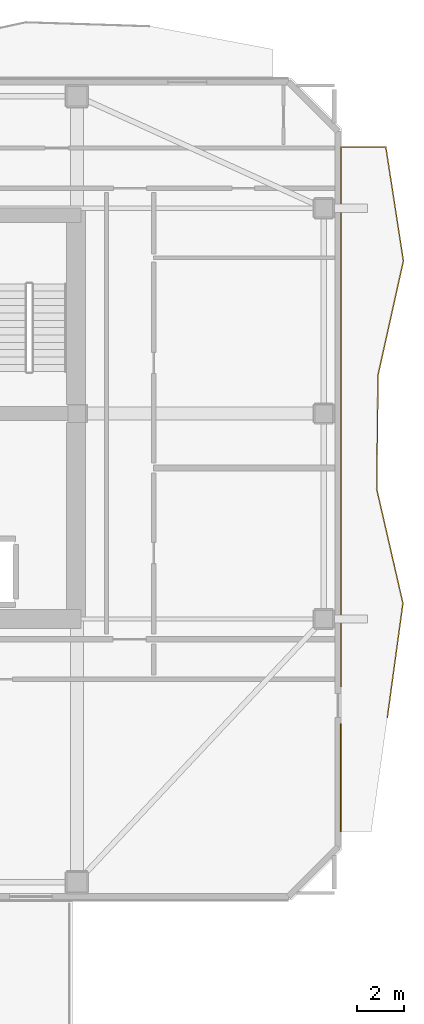
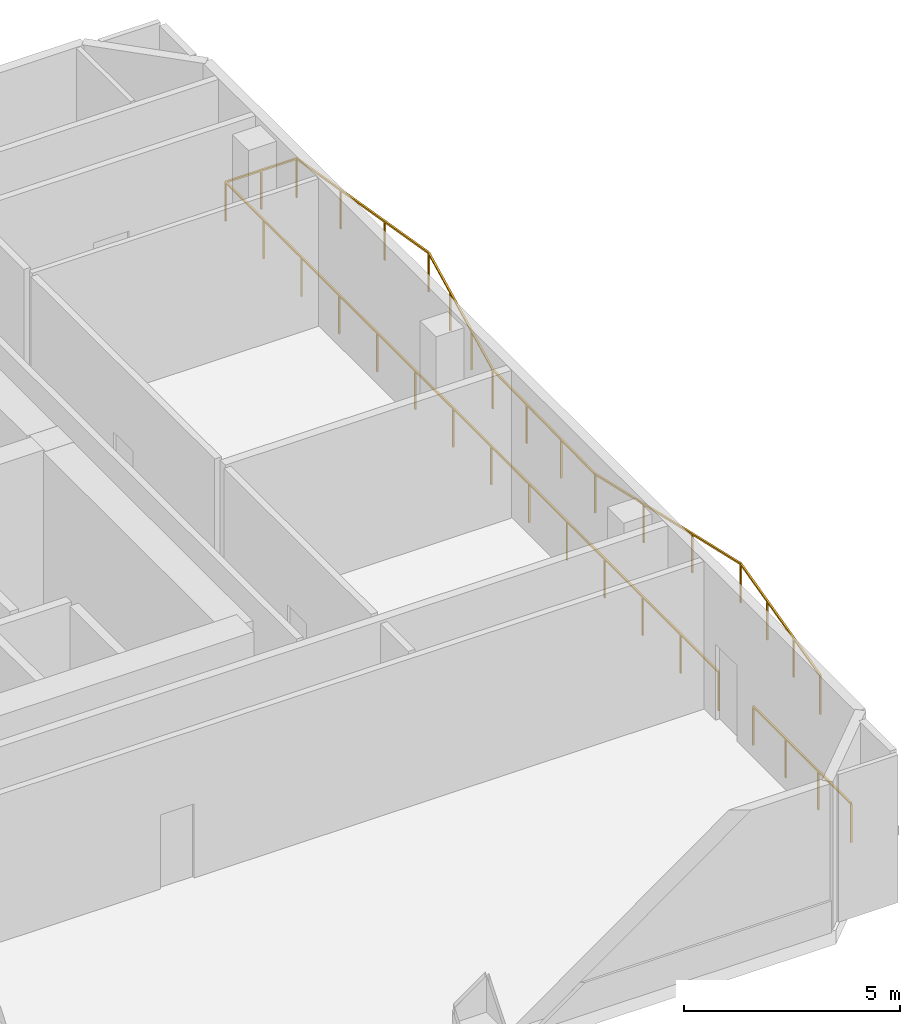
# One storey, part 9 of 10: 2 railings.
"""IFC4 building model written with IfcOpenShell, lengths in metres."""

from ifc_helpers import new_model, si_unit, direction, frame, origin, origin_2d, place, context, subcontext, project, spatial, rectangle, extrude, material, type_object, element, save


model = new_model("IFC4")

# Units and contexts
model_context = context("Model", 3, precision=1e-05, world=origin(), true_north=direction((0.0, 1.0)))
body_context = subcontext(model_context, "Body", "Model", "MODEL_VIEW")
ifc_project = project(units=[si_unit("LENGTHUNIT", "METRE"), si_unit("AREAUNIT", "SQUARE_METRE"), si_unit("VOLUMEUNIT", "CUBIC_METRE"), si_unit("PLANEANGLEUNIT", "RADIAN"), si_unit("MASSUNIT", "GRAM", prefix="KILO")], contexts=[model_context])

# Site, building, storey
site_placement = place(None, origin())
site = spatial("IfcSite", under=ifc_project, at=site_placement, CompositionType="ELEMENT")
building_placement = place(site_placement, origin())
building = spatial("IfcBuilding", under=site, at=building_placement, Name="Solanera Arch Residences", CompositionType="ELEMENT")
storey_placement = place(building_placement, frame((0.0, 0.0, 226.679931640625)))
storey = spatial("IfcBuildingStorey", under=building, at=storey_placement, Name="L66", CompositionType="ELEMENT", Elevation=226.679931640625)

# Railings
ifc_material = material(Name="Steel S355 (ASTM A992 / A572 Grade 50)", Category="steel")
railing_type = type_object("IfcRailingType", Name="Balustrade Railing BL-1100", PredefinedType="BALUSTRADE", material=ifc_material)
railing_1_placement = place(storey_placement, frame((49.64892578125, 17.8330078125, 0.0)))
element("IfcRailing", 1, at=railing_1_placement, inside=storey, type_object=railing_type, Name="L66 E Balcony Balustrade 1", PredefinedType="BALUSTRADE", context=body_context, shape_type="SweptSolid", body=[
    extrude(rectangle(XDim=0.048095703125, YDim=0.048095703125, at=origin_2d()), frame((0.0, 0.0, 1.09619140625), z_axis=(0.135309710291, 0.990803351983, 0.0), x_axis=(-0.990803351983, 0.135309710291, 0.0)), (0.0, 0.0, 1.0), 4.87890625),
    extrude(rectangle(XDim=0.048095703125, YDim=0.048095703125, at=origin_2d()), frame((0.66015625, 4.833984375, 1.09619140625), z_axis=(-0.223676308948, 0.974663484909, 0.0), x_axis=(-0.974663484909, -0.223676308948, 0.0)), (0.0, 0.0, 1.0), 4.958740234375),
    extrude(rectangle(XDim=0.048095703125, YDim=0.048095703125, at=origin_2d()), frame((-0.448974609375, 9.6669921875, 1.09619140625), z_axis=(0.010961151933, 0.99993992477, 0.0), x_axis=(-0.99993992477, 0.010961151933, 0.0)), (0.0, 0.0, 1.0), 4.833251953125),
    extrude(rectangle(XDim=0.048095703125, YDim=0.048095703125, at=origin_2d()), frame((-0.39599609375, 14.5, 1.09619140625), z_axis=(0.217071397829, 0.976155729505, 0.0), x_axis=(-0.976155729505, 0.217071397829, 0.0)), (0.0, 0.0, 1.0), 4.9521484375),
    extrude(rectangle(XDim=0.048095703125, YDim=0.048095703125, at=origin_2d()), frame((0.678955078125, 19.333984375, 1.09619140625), z_axis=(-0.152128467337, 0.988360728391, 0.0), x_axis=(-0.988360728391, -0.152128467337, 0.0)), (0.0, 0.0, 1.0), 4.889892578125),
    extrude(rectangle(XDim=0.048095703125, YDim=0.048095703125, at=origin_2d()), frame((-0.06494140625, 24.1669921875, 1.09619140625), z_axis=(-1.0, 0.0, 0.0), x_axis=(0.0, -1.0, 0.0)), (0.0, 0.0, 1.0), 1.904052734375),
    extrude(rectangle(XDim=0.048095703125, YDim=0.048095703125, at=origin_2d()), frame((-1.968994140625, 24.1669921875, 1.09619140625), z_axis=(0.0, -1.0, 0.0), x_axis=(1.0, 0.0, 0.0)), (0.0, 0.0, 1.0), 22.863037109375),
    extrude(rectangle(XDim=0.0419921875, YDim=0.0419921875, at=origin_2d()), origin(), (0.0, 0.0, 1.0), 1.072021484375),
    extrude(rectangle(XDim=0.0419921875, YDim=0.0419921875, at=origin_2d()), frame((0.219970703125, 1.611328125, 0.0)), (0.0, 0.0, 1.0), 1.072021484375),
    extrude(rectangle(XDim=0.0419921875, YDim=0.0419921875, at=origin_2d()), frame((0.440185546875, 3.22265625, 0.0)), (0.0, 0.0, 1.0), 1.072021484375),
    extrude(rectangle(XDim=0.0419921875, YDim=0.0419921875, at=origin_2d()), frame((0.66015625, 4.833984375, 0.0)), (0.0, 0.0, 1.0), 1.072021484375),
    extrude(rectangle(XDim=0.0419921875, YDim=0.0419921875, at=origin_2d()), frame((0.29052734375, 6.445068359375, 0.0)), (0.0, 0.0, 1.0), 1.072021484375),
    extrude(rectangle(XDim=0.0419921875, YDim=0.0419921875, at=origin_2d()), frame((-0.079345703125, 8.055908203125, 0.0)), (0.0, 0.0, 1.0), 1.072021484375),
    extrude(rectangle(XDim=0.0419921875, YDim=0.0419921875, at=origin_2d()), frame((-0.448974609375, 9.6669921875, 0.0)), (0.0, 0.0, 1.0), 1.072021484375),
    extrude(rectangle(XDim=0.0419921875, YDim=0.0419921875, at=origin_2d()), frame((-0.431396484375, 11.278076171875, 0.0)), (0.0, 0.0, 1.0), 1.072021484375),
    extrude(rectangle(XDim=0.0419921875, YDim=0.0419921875, at=origin_2d()), frame((-0.41357421875, 12.888916015625, 0.0)), (0.0, 0.0, 1.0), 1.072021484375),
    extrude(rectangle(XDim=0.0419921875, YDim=0.0419921875, at=origin_2d()), frame((-0.39599609375, 14.5, 0.0)), (0.0, 0.0, 1.0), 1.072021484375),
    extrude(rectangle(XDim=0.0419921875, YDim=0.0419921875, at=origin_2d()), frame((-0.03759765625, 16.111328125, 0.0)), (0.0, 0.0, 1.0), 1.072021484375),
    extrude(rectangle(XDim=0.0419921875, YDim=0.0419921875, at=origin_2d()), frame((0.320556640625, 17.72265625, 0.0)), (0.0, 0.0, 1.0), 1.072021484375),
    extrude(rectangle(XDim=0.0419921875, YDim=0.0419921875, at=origin_2d()), frame((0.678955078125, 19.333984375, 0.0)), (0.0, 0.0, 1.0), 1.072021484375),
    extrude(rectangle(XDim=0.0419921875, YDim=0.0419921875, at=origin_2d()), frame((0.430908203125, 20.945068359375, 0.0)), (0.0, 0.0, 1.0), 1.072021484375),
    extrude(rectangle(XDim=0.0419921875, YDim=0.0419921875, at=origin_2d()), frame((0.18310546875, 22.555908203125, 0.0)), (0.0, 0.0, 1.0), 1.072021484375),
    extrude(rectangle(XDim=0.0419921875, YDim=0.0419921875, at=origin_2d()), frame((-0.06494140625, 24.1669921875, 0.0)), (0.0, 0.0, 1.0), 1.072021484375),
    extrude(rectangle(XDim=0.0419921875, YDim=0.0419921875, at=origin_2d()), frame((-1.01708984375, 24.1669921875, 0.0)), (0.0, 0.0, 1.0), 1.072021484375),
    extrude(rectangle(XDim=0.0419921875, YDim=0.0419921875, at=origin_2d()), frame((-1.968994140625, 24.1669921875, 0.0)), (0.0, 0.0, 1.0), 1.072021484375),
    extrude(rectangle(XDim=0.0419921875, YDim=0.0419921875, at=origin_2d()), frame((-1.968994140625, 22.408203125, 0.0)), (0.0, 0.0, 1.0), 1.072021484375),
    extrude(rectangle(XDim=0.0419921875, YDim=0.0419921875, at=origin_2d()), frame((-1.968994140625, 20.649658203125, 0.0)), (0.0, 0.0, 1.0), 1.072021484375),
    extrude(rectangle(XDim=0.0419921875, YDim=0.0419921875, at=origin_2d()), frame((-1.968994140625, 18.890869140625, 0.0)), (0.0, 0.0, 1.0), 1.072021484375),
    extrude(rectangle(XDim=0.0419921875, YDim=0.0419921875, at=origin_2d()), frame((-1.968994140625, 17.13232421875, 0.0)), (0.0, 0.0, 1.0), 1.072021484375),
    extrude(rectangle(XDim=0.0419921875, YDim=0.0419921875, at=origin_2d()), frame((-1.968994140625, 15.37353515625, 0.0)), (0.0, 0.0, 1.0), 1.072021484375),
    extrude(rectangle(XDim=0.0419921875, YDim=0.0419921875, at=origin_2d()), frame((-1.968994140625, 13.61474609375, 0.0)), (0.0, 0.0, 1.0), 1.072021484375),
    extrude(rectangle(XDim=0.0419921875, YDim=0.0419921875, at=origin_2d()), frame((-1.968994140625, 11.856201171875, 0.0)), (0.0, 0.0, 1.0), 1.072021484375),
    extrude(rectangle(XDim=0.0419921875, YDim=0.0419921875, at=origin_2d()), frame((-1.968994140625, 10.097412109375, 0.0)), (0.0, 0.0, 1.0), 1.072021484375),
    extrude(rectangle(XDim=0.0419921875, YDim=0.0419921875, at=origin_2d()), frame((-1.968994140625, 8.338623046875, 0.0)), (0.0, 0.0, 1.0), 1.072021484375),
    extrude(rectangle(XDim=0.0419921875, YDim=0.0419921875, at=origin_2d()), frame((-1.968994140625, 6.580078125, 0.0)), (0.0, 0.0, 1.0), 1.072021484375),
    extrude(rectangle(XDim=0.0419921875, YDim=0.0419921875, at=origin_2d()), frame((-1.968994140625, 4.8212890625, 0.0)), (0.0, 0.0, 1.0), 1.072021484375),
    extrude(rectangle(XDim=0.0419921875, YDim=0.0419921875, at=origin_2d()), frame((-1.968994140625, 3.062744140625, 0.0)), (0.0, 0.0, 1.0), 1.072021484375),
    extrude(rectangle(XDim=0.0419921875, YDim=0.0419921875, at=origin_2d()), frame((-1.968994140625, 1.303955078125, 0.0)), (0.0, 0.0, 1.0), 1.072021484375),
])
railing_2_placement = place(storey_placement, frame((47.679931640625, 17.537109375, 0.0)))
element("IfcRailing", 2, at=railing_2_placement, inside=storey, type_object=railing_type, Name="L66 E Balcony Balustrade 2", PredefinedType="BALUSTRADE", context=body_context, shape_type="SweptSolid", body=[
    extrude(rectangle(XDim=0.048095703125, YDim=0.048095703125, at=origin_2d()), frame((0.0, 0.0, 1.09619140625), z_axis=(0.0, -1.0, 0.0), x_axis=(1.0, 0.0, 0.0)), (0.0, 0.0, 1.0), 4.537109375),
    extrude(rectangle(XDim=0.0419921875, YDim=0.0419921875, at=origin_2d()), origin(), (0.0, 0.0, 1.0), 1.072021484375),
    extrude(rectangle(XDim=0.0419921875, YDim=0.0419921875, at=origin_2d()), frame((0.0, -1.512451171875, 0.0)), (0.0, 0.0, 1.0), 1.072021484375),
    extrude(rectangle(XDim=0.0419921875, YDim=0.0419921875, at=origin_2d()), frame((0.0, -3.024658203125, 0.0)), (0.0, 0.0, 1.0), 1.072021484375),
    extrude(rectangle(XDim=0.0419921875, YDim=0.0419921875, at=origin_2d()), frame((0.0, -4.537109375, 0.0)), (0.0, 0.0, 1.0), 1.072021484375),
])

save(model, "model.ifc")
